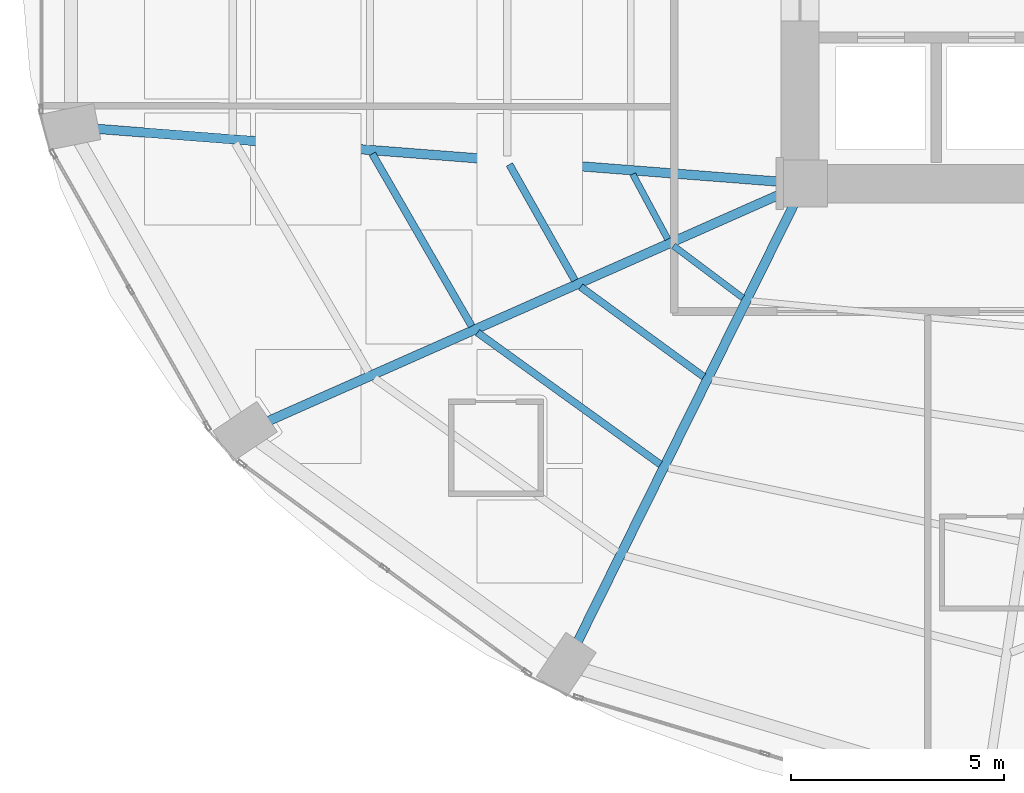
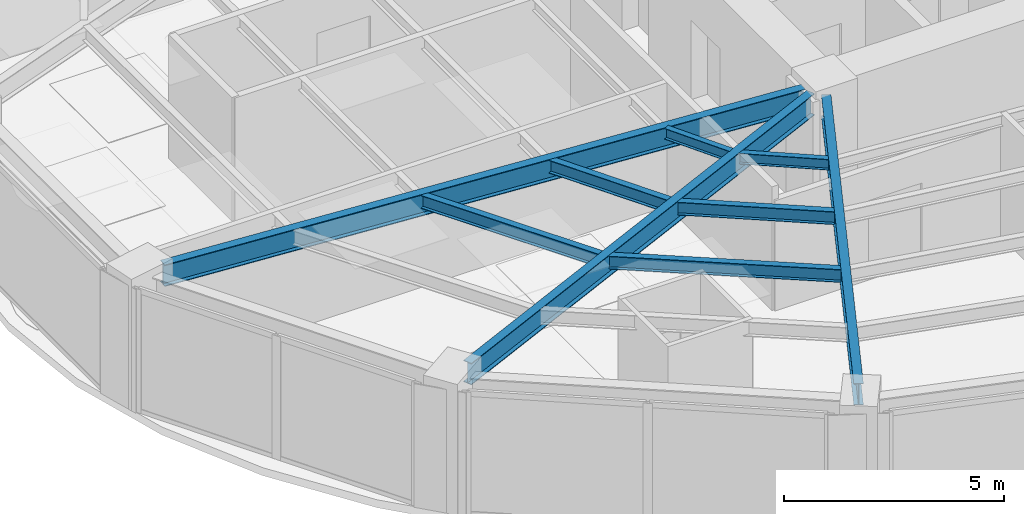
# One storey, part 4 of 25: 9 beams.
"""IFC4 building model written with IfcOpenShell, lengths in metres."""

from ifc_helpers import new_model, si_unit, direction, frame, origin, origin_2d, place, context, subcontext, project, spatial, i_section, extrude, material, material_profile, profile_set, type_object, element, save


model = new_model("IFC4")

# Units and contexts
model_context = context("Model", 3, precision=1e-05, world=origin(), true_north=direction((0.0, 1.0)))
body_context = subcontext(model_context, "Body", "Model", "MODEL_VIEW")
ifc_project = project(units=[si_unit("LENGTHUNIT", "METRE"), si_unit("AREAUNIT", "SQUARE_METRE"), si_unit("VOLUMEUNIT", "CUBIC_METRE"), si_unit("PLANEANGLEUNIT", "RADIAN"), si_unit("MASSUNIT", "GRAM", prefix="KILO")], contexts=[model_context])

# Site, building, storey
site_placement = place(None, origin())
site = spatial("IfcSite", under=ifc_project, at=site_placement, CompositionType="ELEMENT")
building_placement = place(site_placement, origin())
building = spatial("IfcBuilding", under=site, at=building_placement, Name="Lazwardi Medical Tower", CompositionType="ELEMENT")
storey_placement = place(building_placement, frame((0.0, 0.0, 32.49609375)))
storey = spatial("IfcBuildingStorey", under=building, at=storey_placement, Name="L07", CompositionType="ELEMENT", Elevation=32.49609375)

# Beams
ifc_material = material(Name="Steel S355", Category="steel")
ifc_material_profile_1 = material_profile(ifc_material, i_section(OverallWidth=0.219970703125, OverallDepth=0.60009765625, WebThickness=0.011962890625, FlangeThickness=0.01904296875, at=origin_2d()), Name="IPE 600")
ifc_profile_set_1 = profile_set([ifc_material_profile_1], Name="Steel S355")
beam_type_1 = type_object("IfcBeamType", Name="BM-RG-W1", PredefinedType="BEAM", material=ifc_profile_set_1)
beam_1_placement = place(storey_placement, frame((9.7783203125, 21.6875, 3.1279296875), z_axis=(0.997013942066, -0.077221754231, 0.0), x_axis=(0.077221754231, 0.997013942066, 0.0)))
element("IfcBeam", 1, at=beam_1_placement, inside=storey, type_object=beam_type_1, Name="Radial girder RG-02 R13 L07", PredefinedType="BEAM", context=body_context, shape_type="SweptSolid", body=[
    extrude(i_section(OverallWidth=0.219970703125, OverallDepth=0.60009765625, WebThickness=0.011962890625, FlangeThickness=0.01904296875, at=origin_2d()), origin(), (0.0, 0.0, 1.0), 16.136474609375),
])
beam_2_placement = place(storey_placement, frame((13.810302734375, 14.82080078125, 3.1279296875), z_axis=(0.914252189566, 0.405145571214, 0.0), x_axis=(-0.405145571214, 0.914252189566, 0.0)))
element("IfcBeam", 2, at=beam_2_placement, inside=storey, type_object=beam_type_1, Name="Radial girder RG-02 R14 L07", PredefinedType="BEAM", context=body_context, shape_type="SweptSolid", body=[
    extrude(i_section(OverallWidth=0.219970703125, OverallDepth=0.60009765625, WebThickness=0.011962890625, FlangeThickness=0.01904296875, at=origin_2d()), origin(), (0.0, 0.0, 1.0), 13.235595703125),
])
beam_3_placement = place(storey_placement, frame((21.076171875, 9.635986328125, 3.1279296875), z_axis=(0.443336723706, 0.896355146922, 0.0), x_axis=(-0.896355146922, 0.443336723706, 0.0)))
element("IfcBeam", 3, at=beam_3_placement, inside=storey, type_object=beam_type_1, Name="Radial girder RG-02 R15 L07", PredefinedType="BEAM", context=body_context, shape_type="SweptSolid", body=[
    extrude(i_section(OverallWidth=0.219970703125, OverallDepth=0.60009765625, WebThickness=0.011962890625, FlangeThickness=0.01904296875, at=origin_2d()), origin(), (0.0, 0.0, 1.0), 11.4736328125),
])
ifc_material_profile_2 = material_profile(ifc_material, i_section(OverallWidth=0.169921875, OverallDepth=0.360107421875, WebThickness=0.008056640625, FlangeThickness=0.0126953125, at=origin_2d()), Name="IPE 360")
ifc_profile_set_2 = profile_set([ifc_material_profile_2], Name="Steel S355")
beam_type_2 = type_object("IfcBeamType", Name="BM-SJ-02", PredefinedType="JOIST", material=ifc_profile_set_2)
beam_4_placement = place(storey_placement, frame((16.26611328125, 21.09814453125, 3.247802734375), z_axis=(0.499785866494, -0.866148998529, 0.0), x_axis=(0.866148998529, 0.499785866494, 0.0)))
element("IfcBeam", 4, at=beam_4_placement, inside=storey, type_object=beam_type_2, Name="Secondary joist SJ-02 R2 B13 L07", PredefinedType="JOIST", context=body_context, shape_type="SweptSolid", body=[
    extrude(i_section(OverallWidth=0.169921875, OverallDepth=0.360107421875, WebThickness=0.008056640625, FlangeThickness=0.0126953125, at=origin_2d()), origin(), (0.0, 0.0, 1.0), 4.666015625),
])
beam_5_placement = place(storey_placement, frame((18.73583984375, 16.904296875, 3.247802734375), z_axis=(0.811142764961, -0.584848198127, 0.0), x_axis=(0.584848198127, 0.811142764961, 0.0)))
element("IfcBeam", 5, at=beam_5_placement, inside=storey, type_object=beam_type_2, Name="Secondary joist SJ-02 R2 B14 L07", PredefinedType="JOIST", context=body_context, shape_type="SweptSolid", body=[
    extrude(i_section(OverallWidth=0.169921875, OverallDepth=0.360107421875, WebThickness=0.008056640625, FlangeThickness=0.0126953125, at=origin_2d()), origin(), (0.0, 0.0, 1.0), 5.28857421875),
])
beam_6_placement = place(storey_placement, frame((19.48291015625, 20.848388671875, 3.247802734375), z_axis=(0.491923287977, -0.870638546554, 0.0), x_axis=(0.870638546554, 0.491923287977, 0.0)))
element("IfcBeam", 6, at=beam_6_placement, inside=storey, type_object=beam_type_2, Name="Secondary joist SJ-02 R3 B13 L07", PredefinedType="JOIST", context=body_context, shape_type="SweptSolid", body=[
    extrude(i_section(OverallWidth=0.169921875, OverallDepth=0.360107421875, WebThickness=0.008056640625, FlangeThickness=0.0126953125, at=origin_2d()), origin(), (0.0, 0.0, 1.0), 3.122802734375),
])
beam_7_placement = place(storey_placement, frame((21.155517578125, 17.976318359375, 3.247802734375), z_axis=(0.80770129933, -0.589591902132, 0.0), x_axis=(0.589591902132, 0.80770129933, 0.0)))
element("IfcBeam", 7, at=beam_7_placement, inside=storey, type_object=beam_type_2, Name="Secondary joist SJ-02 R3 B14 L07", PredefinedType="JOIST", context=body_context, shape_type="SweptSolid", body=[
    extrude(i_section(OverallWidth=0.169921875, OverallDepth=0.360107421875, WebThickness=0.008056640625, FlangeThickness=0.0126953125, at=origin_2d()), origin(), (0.0, 0.0, 1.0), 3.5751953125),
])
ifc_material_profile_3 = material_profile(ifc_material, i_section(OverallWidth=0.14990234375, OverallDepth=0.300048828125, WebThickness=0.007080078125, FlangeThickness=0.0107421875, at=origin_2d()), Name="IPE 300")
ifc_profile_set_3 = profile_set([ifc_material_profile_3], Name="Steel S355")
beam_type_3 = type_object("IfcBeamType", Name="BM-SJ-03", PredefinedType="JOIST", material=ifc_profile_set_3)
beam_8_placement = place(storey_placement, frame((22.376953125, 20.623046875, 3.27783203125), z_axis=(0.473982292828, -0.880534375301, 0.0), x_axis=(0.880534375301, 0.473982292828, 0.0)))
element("IfcBeam", 8, at=beam_8_placement, inside=storey, type_object=beam_type_3, Name="Secondary joist SJ-03 R4 B13 L07", PredefinedType="JOIST", context=body_context, shape_type="SweptSolid", body=[
    extrude(i_section(OverallWidth=0.14990234375, OverallDepth=0.300048828125, WebThickness=0.007080078125, FlangeThickness=0.0107421875, at=origin_2d()), origin(), (0.0, 0.0, 1.0), 1.734375),
])
beam_9_placement = place(storey_placement, frame((23.332763671875, 18.9404296875, 3.27783203125), z_axis=(0.800115247939, -0.599846305328, 0.0), x_axis=(0.599846305328, 0.800115247939, 0.0)))
element("IfcBeam", 9, at=beam_9_placement, inside=storey, type_object=beam_type_3, Name="Secondary joist SJ-03 R4 B14 L07", PredefinedType="JOIST", context=body_context, shape_type="SweptSolid", body=[
    extrude(i_section(OverallWidth=0.14990234375, OverallDepth=0.300048828125, WebThickness=0.007080078125, FlangeThickness=0.0107421875, at=origin_2d()), origin(), (0.0, 0.0, 1.0), 2.033447265625),
])

save(model, "model.ifc")
